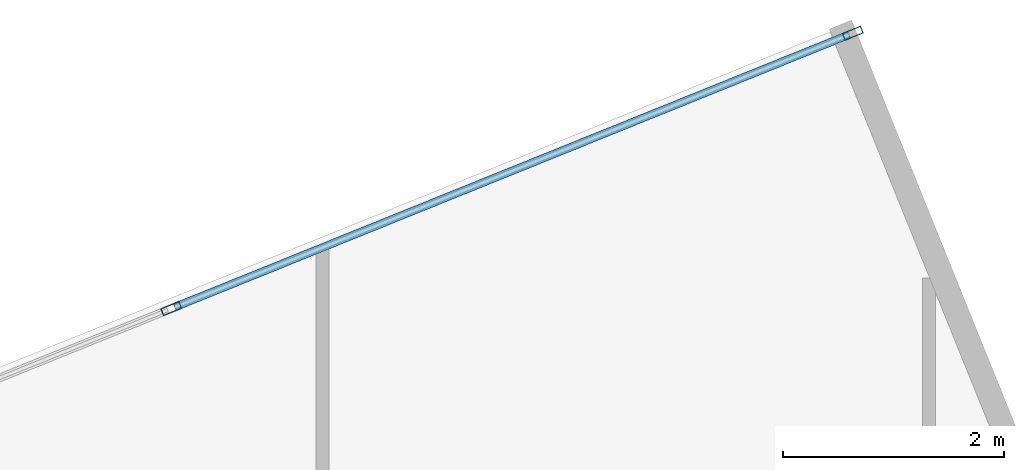
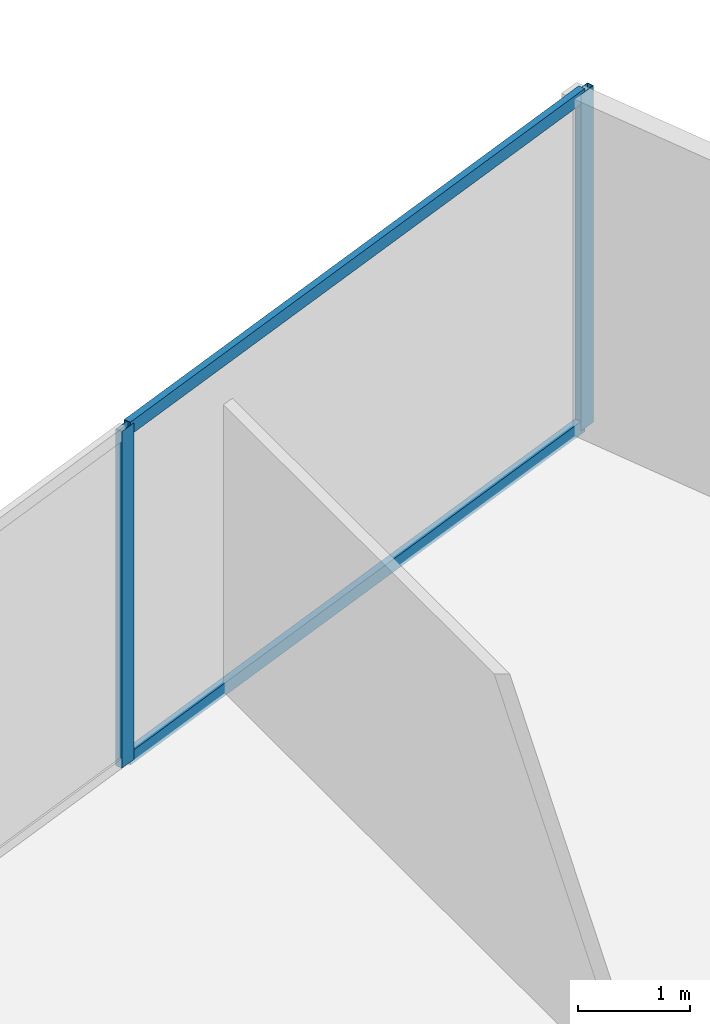
# One storey, part 15 of 21: 4 members, 1 element without a shape of its own.
"""IFC4 building model written with IfcOpenShell, lengths in metres."""

from ifc_helpers import new_model, si_unit, direction, frame, origin, origin_2d, place, context, subcontext, project, spatial, hollow_rectangle, extrude, source, transform, mapped, material, material_profile, profile_set, type_object, type_shapes, element, aggregate, save


model = new_model("IFC4")

# Units and contexts
model_context = context("Model", 3, precision=1e-05, world=origin(), true_north=direction((0.0, 1.0)))
body_context = subcontext(model_context, "Body", "Model", "MODEL_VIEW")
ifc_project = project(units=[si_unit("LENGTHUNIT", "METRE"), si_unit("AREAUNIT", "SQUARE_METRE"), si_unit("VOLUMEUNIT", "CUBIC_METRE"), si_unit("PLANEANGLEUNIT", "RADIAN"), si_unit("MASSUNIT", "GRAM", prefix="KILO")], contexts=[model_context])

# Site, building, storey
site_placement = place(None, origin())
site = spatial("IfcSite", under=ifc_project, at=site_placement, CompositionType="ELEMENT")
building_placement = place(site_placement, origin())
building = spatial("IfcBuilding", under=site, at=building_placement, Name="Krantzveldt Concourse Tower", CompositionType="ELEMENT")
storey_placement = place(building_placement, frame((0.0, 0.0, 327.699951171875)))
storey = spatial("IfcBuildingStorey", under=building, at=storey_placement, Name="L80", CompositionType="ELEMENT", Elevation=327.699951171875)

# Curtain wall, members
ifc_material = material(Name="Anodised aluminium 6063-T6", Category="aluminium")
curtain_wall_type = type_object("IfcCurtainWallType", Name="CW4", PredefinedType="USERDEFINED", material=ifc_material)
curtain_wall_placement = place(storey_placement, origin())
curtain_wall = element("IfcCurtainWall", 1, at=curtain_wall_placement, inside=storey, type_object=curtain_wall_type, Name="CW-L80-F01", ObjectType="UNITISED CURTAIN WALL", PredefinedType="USERDEFINED")
ifc_material_profile_1 = material_profile(ifc_material, hollow_rectangle(XDim=0.070068359375, YDim=0.179931640625, WallThickness=0.0048828125, at=origin_2d()), Name="Anodised aluminium 6063-T6", Category="aluminium")
ifc_profile_set_1 = profile_set([ifc_material_profile_1], Name="Anodised aluminium 6063-T6 - ALU-MULL 180x70x5")
member_type_1 = type_object("IfcMemberType", Name="CW-MUL-180", PredefinedType="MULLION", material=ifc_profile_set_1)
shared_shape_1 = source(origin(), body_context, "Body", "SweptSolid", [
    extrude(hollow_rectangle(XDim=0.070068359375, YDim=0.179931640625, WallThickness=0.0048828125, at=origin_2d()), origin(), (0.0, 0.0, 1.0), 3.670166015625),
])
type_shapes(member_type_1, [shared_shape_1])
member_1_placement = place(storey_placement, frame((41.30810546875, 49.23974609375, 0.0), z_axis=(0.0, 0.0, 1.0), x_axis=(0.374606664198, -0.927183825969, 0.0)))
member_1 = element("IfcMember", 2, at=member_1_placement, type_object=member_type_1, Name="CW-Z56 mullion 1", PredefinedType="MULLION", context=body_context, shape_type="MappedRepresentation", body=[
    mapped(shared_shape_1, transform((0.0, 0.0, 0.0), x_axis=(1.0, 0.0, 0.0), y_axis=(0.0, 1.0, 0.0), z_axis=(0.0, 0.0, 1.0), scale=1.0)),
])
member_2_placement = place(storey_placement, frame((35.12841796875, 46.742919921875, 0.0), z_axis=(0.0, 0.0, 1.0), x_axis=(0.374606664198, -0.927183825969, 0.0)))
member_2 = element("IfcMember", 3, at=member_2_placement, type_object=member_type_1, Name="CW-Z56 mullion 2", PredefinedType="MULLION", context=body_context, shape_type="MappedRepresentation", body=[
    mapped(shared_shape_1, transform((0.0, 0.0, 0.0), x_axis=(1.0, 0.0, 0.0), y_axis=(0.0, 1.0, 0.0), z_axis=(0.0, 0.0, 1.0), scale=1.0)),
])
ifc_material_profile_2 = material_profile(ifc_material, hollow_rectangle(XDim=0.070068359375, YDim=0.139892578125, WallThickness=0.0048828125, at=origin_2d()), Name="Anodised aluminium 6063-T6", Category="aluminium")
ifc_profile_set_2 = profile_set([ifc_material_profile_2], Name="Anodised aluminium 6063-T6 - ALU-TRAN 140x70x5")
member_type_2 = type_object("IfcMemberType", Name="CW-TRN-150", PredefinedType="USERDEFINED", material=ifc_profile_set_2)
shared_shape_2 = source(origin(), body_context, "Body", "SweptSolid", [
    extrude(hollow_rectangle(XDim=0.070068359375, YDim=0.139892578125, WallThickness=0.0048828125, at=origin_2d()), origin(), (0.0, 0.0, 1.0), 6.594970703125),
])
type_shapes(member_type_2, [shared_shape_2])
member_3_placement = place(storey_placement, frame((41.275634765625, 49.2265625, 0.03515625), z_axis=(-0.927186951391, -0.374598928417, 0.0), x_axis=(0.374598928417, -0.927186951391, 0.0)))
member_3 = element("IfcMember", 4, at=member_3_placement, type_object=member_type_2, Name="CW-Z56 transom 1.1", ObjectType="TRANSOM", PredefinedType="USERDEFINED", context=body_context, shape_type="MappedRepresentation", body=[
    mapped(shared_shape_2, transform((0.0, 0.0, 0.0), x_axis=(1.0, 0.0, 0.0), y_axis=(0.0, 1.0, 0.0), z_axis=(0.0, 0.0, 1.0), scale=1.0)),
])
member_4_placement = place(storey_placement, frame((41.275634765625, 49.2265625, 3.635009765625), z_axis=(-0.927186951391, -0.374598928417, 0.0), x_axis=(0.374598928417, -0.927186951391, 0.0)))
member_4 = element("IfcMember", 5, at=member_4_placement, type_object=member_type_2, Name="CW-Z56 transom 1.2", ObjectType="TRANSOM", PredefinedType="USERDEFINED", context=body_context, shape_type="MappedRepresentation", body=[
    mapped(shared_shape_2, transform((0.0, 0.0, 0.0), x_axis=(1.0, 0.0, 0.0), y_axis=(0.0, 1.0, 0.0), z_axis=(0.0, 0.0, 1.0), scale=1.0)),
])
aggregate(curtain_wall, [member_1, member_2, member_3, member_4])

save(model, "model.ifc")
